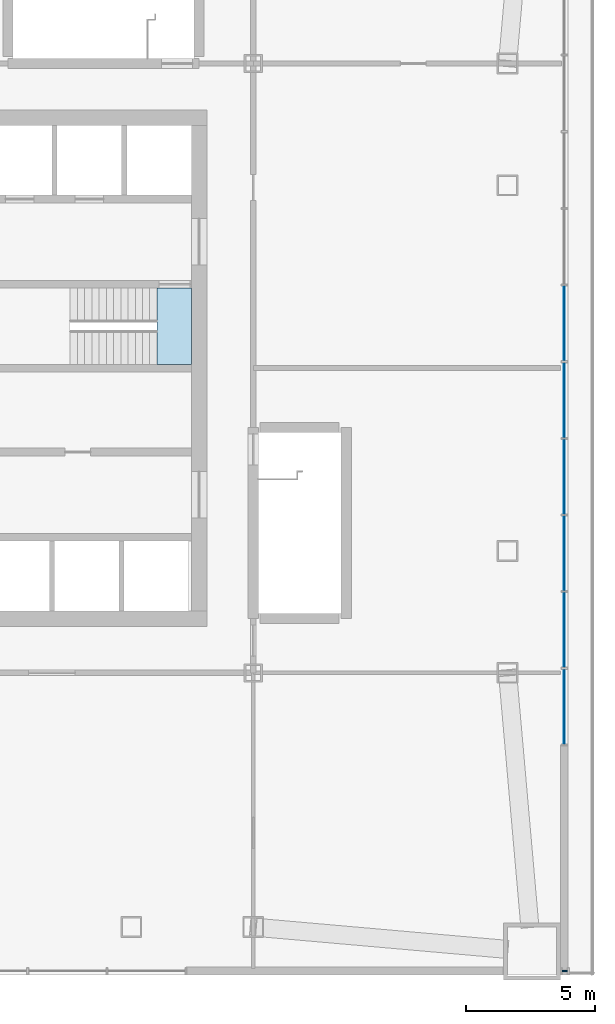
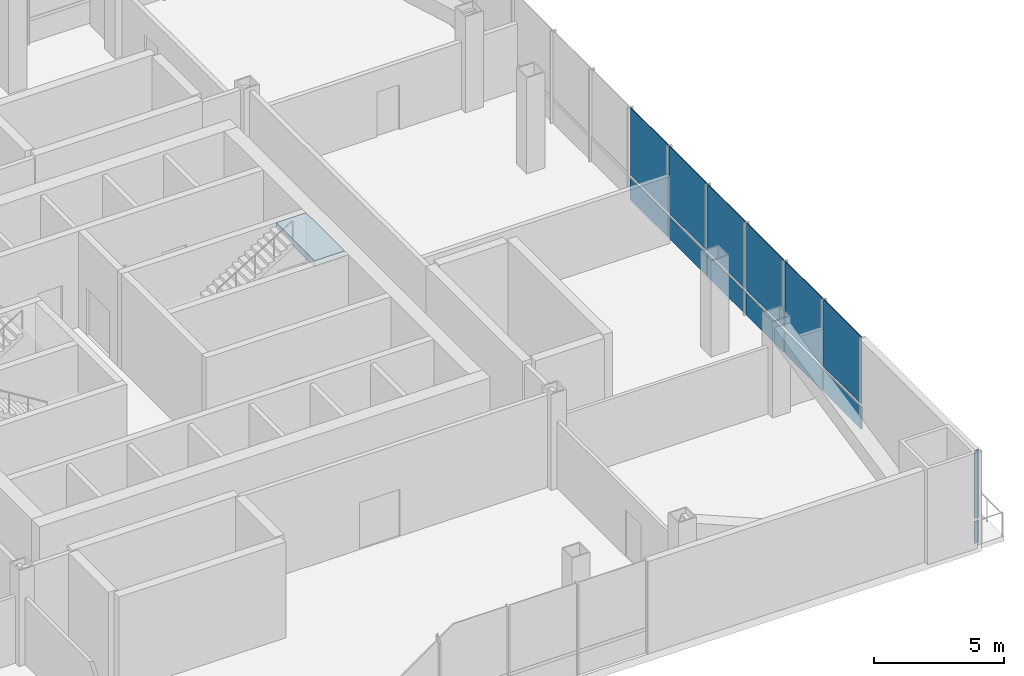
# One storey, part 10 of 15: 14 plates, 1 slab, 3 elements without a shape of their own.
"""IFC4 building model written with IfcOpenShell, lengths in metres."""

import ifcopenshell
import ifcopenshell.guid

model = None  # the IFC model being written
_history = None  # IfcOwnerHistory: only IFC2X3 demands one
_inside = {}  # id of a spatial element -> (the spatial element, [elements in it])
_under = {}  # id of a project, library or spatial element -> (it, [spatial elements below it])
_declared = {}  # id of a project -> (the project, [libraries it declares])
_typed = {}  # id of a type object -> (the type object, [elements of that type])
_made_of = {}  # id of a material, layer set ... -> (it, [elements and type objects made of it])


def new_model(schema):
    """Start an empty IFC model of exactly this schema.

    Asked for "IFC4X3", IfcOpenShell would pick the latest addendum, in which some entities
    have other attributes; the version numbers below select the first issue.
    IFC2X3 requires an IfcOwnerHistory on every rooted entity: one is made here for all.
    """
    global model, _history
    if schema == "IFC4X3":
        model = ifcopenshell.file(schema_version=(4, 3, 0, 0))
    else:
        model = ifcopenshell.file(schema=schema)
    _inside.clear()
    _under.clear()
    _declared.clear()
    _typed.clear()
    _made_of.clear()
    _history = None
    if model.schema == "IFC2X3":
        org = make("IfcOrganization", Name="unknown")
        user = make(
            "IfcPersonAndOrganization",
            ThePerson=make("IfcPerson", FamilyName="unknown"),
            TheOrganization=org,
        )
        app = make(
            "IfcApplication",
            ApplicationDeveloper=org,
            Version="unknown",
            ApplicationFullName="unknown",
            ApplicationIdentifier="unknown",
        )
        _history = make(
            "IfcOwnerHistory",
            OwningUser=user,
            OwningApplication=app,
            ChangeAction="ADDED",
            CreationDate=0,
        )
    return model


def make(cls, **values):
    """One entity of the class cls with the attributes given. An attribute that is None is left unset."""
    return model.create_entity(
        cls, **{name: value for name, value in values.items() if value is not None}
    )


def rooted(cls, **values):
    """An entity with a GlobalId (a new one), such as an element, a storey or a relation."""
    return make(cls, GlobalId=ifcopenshell.guid.new(), OwnerHistory=_history, **values)


def si_unit(unit_type, name, prefix=None):
    """IfcSIUnit, for example si_unit("LENGTHUNIT", "METRE", prefix="MILLI")."""
    return make("IfcSIUnit", UnitType=unit_type, Prefix=prefix, Name=name)


def assignment(units):
    """IfcUnitAssignment: the units of a project."""
    return None if units is None else make("IfcUnitAssignment", Units=units)


def point(xyz):
    """IfcCartesianPoint."""
    return None if xyz is None else make("IfcCartesianPoint", Coordinates=xyz)


def direction(xyz):
    """IfcDirection."""
    return None if xyz is None else make("IfcDirection", DirectionRatios=xyz)


def frame(location, z_axis=None, x_axis=None):
    """IfcAxis2Placement3D, a coordinate frame: its origin and axes. An axis left out is left unset."""
    return make(
        "IfcAxis2Placement3D",
        Location=point(location),
        Axis=direction(z_axis),
        RefDirection=direction(x_axis),
    )


def frame_2d(location, x_axis=None):
    """IfcAxis2Placement2D, a coordinate frame in the plane: its origin and x axis."""
    return make(
        "IfcAxis2Placement2D", Location=point(location), RefDirection=direction(x_axis)
    )


def origin():
    """The frame at (0, 0, 0) with its axes left unset."""
    return frame((0.0, 0.0, 0.0))


def origin_2d():
    """The frame at (0, 0) in the plane with its x axis left unset."""
    return frame_2d((0.0, 0.0))


def place(relative_to, where):
    """IfcLocalPlacement: puts the frame where relative to a parent placement (None: the world)."""
    return make(
        "IfcLocalPlacement", PlacementRelTo=relative_to, RelativePlacement=where
    )


def context(
    kind, dimensions, precision=None, world=None, true_north=None, identifier=None
):
    """IfcGeometricRepresentationContext, for example the 3D "Model" context."""
    return make(
        "IfcGeometricRepresentationContext",
        ContextIdentifier=identifier,
        ContextType=kind,
        CoordinateSpaceDimension=dimensions,
        Precision=precision,
        WorldCoordinateSystem=world,
        TrueNorth=true_north,
    )


def subcontext(parent, identifier, kind, view, scale=None):
    """IfcGeometricRepresentationSubContext, for example "Body" below "Model"."""
    return make(
        "IfcGeometricRepresentationSubContext",
        ContextIdentifier=identifier,
        ContextType=kind,
        ParentContext=parent,
        TargetScale=scale,
        TargetView=view,
    )


def project(units=None, contexts=None):
    """IfcProject with its units and contexts."""
    return rooted(
        "IfcProject",
        Name="project",
        RepresentationContexts=contexts,
        UnitsInContext=assignment(units),
    )


def spatial(cls, under=None, at=None, **own):
    """A site, building, storey or space (cls), placed at a placement, below another one or the project."""
    s = rooted(cls, ObjectPlacement=at, **own)
    if under is not None:
        _under.setdefault(under.id(), (under, []))[1].append(s)
    return s


def polyline(points):
    """IfcPolyline through the points."""
    return make("IfcPolyline", Points=[point(p) for p in points])


def profile(cls, at=None, kind="AREA", **sizes):
    """A parametric profile (cls). Its sizes go by their IFC names, for example OverallWidth=200.0."""
    return make(cls, ProfileType=kind, Position=at, **sizes)


def rectangle(**sizes):
    """IfcRectangleProfileDef."""
    return profile("IfcRectangleProfileDef", **sizes)


def outline(outer, holes=None, kind="AREA"):
    """IfcArbitraryClosedProfileDef: a profile drawn as a closed curve; with holes, ...WithVoids."""
    if holes is None:
        return make("IfcArbitraryClosedProfileDef", ProfileType=kind, OuterCurve=outer)
    return make(
        "IfcArbitraryProfileDefWithVoids",
        ProfileType=kind,
        OuterCurve=outer,
        InnerCurves=holes,
    )


def extrude(swept, where, along, depth):
    """IfcExtrudedAreaSolid: the profile swept, set in the frame where, extruded along a direction by depth."""
    return make(
        "IfcExtrudedAreaSolid",
        SweptArea=swept,
        Position=where,
        ExtrudedDirection=direction(along),
        Depth=depth,
    )


def shape(context_of_items, identifier, shape_type, items):
    """IfcShapeRepresentation: the items that make up one representation, for example the "Body"."""
    return make(
        "IfcShapeRepresentation",
        ContextOfItems=context_of_items,
        RepresentationIdentifier=identifier,
        RepresentationType=shape_type,
        Items=items,
    )


def material(Name=None, Category=None):
    """IfcMaterial."""
    return make("IfcMaterial", Name=Name, Category=Category)


def layer(
    of_material, thickness, ventilated=None, Name=None, Category=None, Priority=None
):
    """IfcMaterialLayer: one layer of a wall or slab, of a material (None: an air gap)."""
    return make(
        "IfcMaterialLayer",
        Material=of_material,
        LayerThickness=thickness,
        IsVentilated=ventilated,
        Name=Name,
        Category=Category,
        Priority=Priority,
    )


def layer_set(layers, Name=None):
    """IfcMaterialLayerSet."""
    return make("IfcMaterialLayerSet", MaterialLayers=layers, LayerSetName=Name)


def made_of(thing, what):
    """Note that an element or type object is made of a material, layer set ...; save() writes the relation."""
    if what is not None:
        _made_of.setdefault(what.id(), (what, []))[1].append(thing)
    return thing


def type_object(cls, material=None, **own):
    """A type object (cls), such as IfcWallType, which elements share."""
    return made_of(rooted(cls, **own), material)


def element(
    cls,
    number,
    at=None,
    inside=None,
    cuts=None,
    type_object=None,
    material=None,
    context=None,
    identifier="Body",
    shape_type=None,
    held_by="IfcProductDefinitionShape",
    body=None,
    shapes=None,
    **own,
):
    """One element of the class cls, such as IfcWall. Its Tag is "e" and its number.

    at: its placement. inside: the storey or other place that contains it. cuts: it is an
    opening in that element (IfcRelVoidsElement). A single representation is given by context,
    identifier, shape_type and body (its items); several are given by shapes. held_by: the class
    of the entity that holds the representations. save() writes the other relations.
    """
    e = rooted(cls, Tag="e%d" % number, ObjectPlacement=at, **own)
    if body is not None:
        shapes = [shape(context, identifier, shape_type, body)]
    if shapes is not None:
        e.Representation = make(held_by, Representations=shapes)
    if inside is not None:
        _inside.setdefault(inside.id(), (inside, []))[1].append(e)
    if cuts is not None:
        rooted(
            "IfcRelVoidsElement", RelatingBuildingElement=cuts, RelatedOpeningElement=e
        )
    if type_object is not None:
        _typed.setdefault(type_object.id(), (type_object, []))[1].append(e)
    return made_of(e, material)


def aggregate(whole, parts):
    """IfcRelAggregates: a whole, such as a stair, and the parts it consists of."""
    return rooted("IfcRelAggregates", RelatingObject=whole, RelatedObjects=parts)


def save(model, path):
    """Write the relations noted so far, then the file.

    IfcRelAggregates (storeys below a building ...), IfcRelContainedInSpatialStructure (elements
    in a storey), IfcRelDefinesByType, IfcRelAssociatesMaterial and IfcRelDeclares: one each for
    every whole, place, type object, material and project.
    """
    for whole, parts in _under.values():
        aggregate(whole, parts)
    for where, things in _inside.values():
        rooted(
            "IfcRelContainedInSpatialStructure",
            RelatedElements=things,
            RelatingStructure=where,
        )
    for kind, things in _typed.values():
        rooted("IfcRelDefinesByType", RelatedObjects=things, RelatingType=kind)
    for what, things in _made_of.values():
        rooted("IfcRelAssociatesMaterial", RelatedObjects=things, RelatingMaterial=what)
    for by, libraries in _declared.values():
        rooted("IfcRelDeclares", RelatingContext=by, RelatedDefinitions=libraries)
    model.write(path)


model = new_model("IFC4")

# Units and contexts
model_context = context("Model", 3, precision=1e-05, world=origin(), true_north=direction((0.0, 1.0)))
body_context = subcontext(model_context, "Body", "Model", "MODEL_VIEW")
ifc_project = project(units=[si_unit("LENGTHUNIT", "METRE"), si_unit("AREAUNIT", "SQUARE_METRE"), si_unit("VOLUMEUNIT", "CUBIC_METRE"), si_unit("PLANEANGLEUNIT", "RADIAN"), si_unit("MASSUNIT", "GRAM", prefix="KILO")], contexts=[model_context])

# Site, building, storey
site_placement = place(None, origin())
site = spatial("IfcSite", under=ifc_project, at=site_placement, CompositionType="ELEMENT")
building_placement = place(site_placement, origin())
building = spatial("IfcBuilding", under=site, at=building_placement, Name="Turquesa Mirador Hotel Tower", CompositionType="ELEMENT")
storey_placement = place(building_placement, frame((0.0, 0.0, 20.5)))
storey = spatial("IfcBuildingStorey", under=building, at=storey_placement, Name="L04", CompositionType="ELEMENT", Elevation=20.5)

# Curtain wall, plate
ifc_material_1 = material(Name="Aluminium extrusion", Category="aluminium")
curtain_wall_type = type_object("IfcCurtainWallType", Name="CW-3 PODIUM UPPER CURTAIN WALL", PredefinedType="USERDEFINED", material=ifc_material_1)
curtain_wall_1_placement = place(storey_placement, origin())
curtain_wall_1 = element("IfcCurtainWall", 1, at=curtain_wall_1_placement, inside=storey, type_object=curtain_wall_type, Name="CW-3 PODIUM UPPER CURTAIN WALL L04", ObjectType="CURTAIN WALL", PredefinedType="USERDEFINED")
ifc_material_2 = material(Name="Ceramic-printed spandrel glass on an insulated back pan", Category="glass")
ifc_layer_1 = layer(ifc_material_2, 0.050048828125)
ifc_layer_set_1 = layer_set([ifc_layer_1], Name="CW PANEL SPANDREL CERAMIC")
plate_type_1 = type_object("IfcPlateType", Name="CW PANEL SPANDREL CERAMIC", PredefinedType="CURTAIN_PANEL", material=ifc_layer_set_1)
plate_1_placement = place(storey_placement, frame((78.8671875, 21.64990234375, 0.0), z_axis=(0.0, 0.0, 1.0), x_axis=(1.0, 0.0, 0.0)))
plate_1 = element("IfcPlate", 2, at=plate_1_placement, type_object=plate_type_1, Name="Panel", PredefinedType="CURTAIN_PANEL", context=body_context, shape_type="SweptSolid", body=[
    extrude(rectangle(XDim=0.200439453125, YDim=0.050048828125, at=origin_2d()), origin(), (0.0, 0.0, 1.0), 1.02490234375),
])

# Curtain wall, plates
curtain_wall_2_placement = place(storey_placement, origin())
curtain_wall_2 = element("IfcCurtainWall", 3, at=curtain_wall_2_placement, inside=storey, type_object=curtain_wall_type, Name="CW-3 PODIUM UPPER CURTAIN WALL L04", ObjectType="CURTAIN WALL", PredefinedType="USERDEFINED")
plate_2_placement = place(storey_placement, frame((78.85009765625, 31.890625, 0.0), z_axis=(0.0, 0.0, 1.0), x_axis=(0.0, 1.0, 0.0)))
plate_2 = element("IfcPlate", 4, at=plate_2_placement, type_object=plate_type_1, Name="Panel", PredefinedType="CURTAIN_PANEL", context=body_context, shape_type="SweptSolid", body=[
    extrude(rectangle(XDim=2.90380859375, YDim=0.050048828125, at=origin_2d()), origin(), (0.0, 0.0, 1.0), 1.02490234375),
])
plate_3_placement = place(storey_placement, frame((78.85009765625, 34.859375, 0.0), z_axis=(0.0, 0.0, 1.0), x_axis=(0.0, 1.0, 0.0)))
plate_3 = element("IfcPlate", 5, at=plate_3_placement, type_object=plate_type_1, Name="Panel", PredefinedType="CURTAIN_PANEL", context=body_context, shape_type="SweptSolid", body=[
    extrude(rectangle(XDim=2.90380859375, YDim=0.050048828125, at=origin_2d()), origin(), (0.0, 0.0, 1.0), 1.02490234375),
])
plate_4_placement = place(storey_placement, frame((78.85009765625, 37.828125, 0.0), z_axis=(0.0, 0.0, 1.0), x_axis=(0.0, 1.0, 0.0)))
plate_4 = element("IfcPlate", 6, at=plate_4_placement, type_object=plate_type_1, Name="Panel", PredefinedType="CURTAIN_PANEL", context=body_context, shape_type="SweptSolid", body=[
    extrude(rectangle(XDim=2.90380859375, YDim=0.050048828125, at=origin_2d()), origin(), (0.0, 0.0, 1.0), 1.02490234375),
])
plate_5_placement = place(storey_placement, frame((78.85009765625, 40.796875, 0.0), z_axis=(0.0, 0.0, 1.0), x_axis=(0.0, 1.0, 0.0)))
plate_5 = element("IfcPlate", 7, at=plate_5_placement, type_object=plate_type_1, Name="Panel", PredefinedType="CURTAIN_PANEL", context=body_context, shape_type="SweptSolid", body=[
    extrude(rectangle(XDim=2.90380859375, YDim=0.050048828125, at=origin_2d()), origin(), (0.0, 0.0, 1.0), 1.02490234375),
])
plate_6_placement = place(storey_placement, frame((78.85009765625, 43.765625, 0.0), z_axis=(0.0, 0.0, 1.0), x_axis=(0.0, 1.0, 0.0)))
plate_6 = element("IfcPlate", 8, at=plate_6_placement, type_object=plate_type_1, Name="Panel", PredefinedType="CURTAIN_PANEL", context=body_context, shape_type="SweptSolid", body=[
    extrude(rectangle(XDim=2.90380859375, YDim=0.050048828125, at=origin_2d()), origin(), (0.0, 0.0, 1.0), 1.02490234375),
])
plate_7_placement = place(storey_placement, frame((78.85009765625, 46.734375, 0.0), z_axis=(0.0, 0.0, 1.0), x_axis=(0.0, 1.0, 0.0)))
plate_7 = element("IfcPlate", 9, at=plate_7_placement, type_object=plate_type_1, Name="Panel", PredefinedType="CURTAIN_PANEL", context=body_context, shape_type="SweptSolid", body=[
    extrude(rectangle(XDim=2.90380859375, YDim=0.050048828125, at=origin_2d()), origin(), (0.0, 0.0, 1.0), 1.02490234375),
])

# Plate
ifc_material_3 = material(Name="Ceramic-fritted laminated glass", Category="glass")
ifc_layer_2 = layer(ifc_material_3, 0.031982421875)
ifc_layer_set_2 = layer_set([ifc_layer_2], Name="CW PANEL VISION FRITTED")
plate_type_2 = type_object("IfcPlateType", Name="CW PANEL VISION FRITTED", PredefinedType="CURTAIN_PANEL", material=ifc_layer_set_2)
plate_8_placement = place(storey_placement, frame((78.8671875, 21.64990234375, 1.1748046875), z_axis=(0.0, 0.0, 1.0), x_axis=(1.0, 0.0, 0.0)))
plate_8 = element("IfcPlate", 10, at=plate_8_placement, type_object=plate_type_2, Name="Panel", PredefinedType="CURTAIN_PANEL", context=body_context, shape_type="SweptSolid", body=[
    extrude(rectangle(XDim=0.200439453125, YDim=0.031982421875, at=origin_2d()), origin(), (0.0, 0.0, 1.0), 3.155029296875),
])

aggregate(curtain_wall_1, [plate_1, plate_8])

plate_9_placement = place(storey_placement, frame((78.85009765625, 31.890625, 1.1748046875), z_axis=(0.0, 0.0, 1.0), x_axis=(0.0, 1.0, 0.0)))
plate_9 = element("IfcPlate", 11, at=plate_9_placement, type_object=plate_type_2, Name="Panel", PredefinedType="CURTAIN_PANEL", context=body_context, shape_type="SweptSolid", body=[
    extrude(rectangle(XDim=2.90380859375, YDim=0.031982421875, at=origin_2d()), origin(), (0.0, 0.0, 1.0), 3.155029296875),
])

plate_10_placement = place(storey_placement, frame((78.85009765625, 34.859375, 1.1748046875), z_axis=(0.0, 0.0, 1.0), x_axis=(0.0, 1.0, 0.0)))
plate_10 = element("IfcPlate", 12, at=plate_10_placement, type_object=plate_type_2, Name="Panel", PredefinedType="CURTAIN_PANEL", context=body_context, shape_type="SweptSolid", body=[
    extrude(rectangle(XDim=2.90380859375, YDim=0.031982421875, at=origin_2d()), origin(), (0.0, 0.0, 1.0), 3.155029296875),
])

plate_11_placement = place(storey_placement, frame((78.85009765625, 37.828125, 1.1748046875), z_axis=(0.0, 0.0, 1.0), x_axis=(0.0, 1.0, 0.0)))
plate_11 = element("IfcPlate", 13, at=plate_11_placement, type_object=plate_type_2, Name="Panel", PredefinedType="CURTAIN_PANEL", context=body_context, shape_type="SweptSolid", body=[
    extrude(rectangle(XDim=2.90380859375, YDim=0.031982421875, at=origin_2d()), origin(), (0.0, 0.0, 1.0), 3.155029296875),
])

plate_12_placement = place(storey_placement, frame((78.85009765625, 40.796875, 1.1748046875), z_axis=(0.0, 0.0, 1.0), x_axis=(0.0, 1.0, 0.0)))
plate_12 = element("IfcPlate", 14, at=plate_12_placement, type_object=plate_type_2, Name="Panel", PredefinedType="CURTAIN_PANEL", context=body_context, shape_type="SweptSolid", body=[
    extrude(rectangle(XDim=2.90380859375, YDim=0.031982421875, at=origin_2d()), origin(), (0.0, 0.0, 1.0), 3.155029296875),
])

plate_13_placement = place(storey_placement, frame((78.85009765625, 43.765625, 1.1748046875), z_axis=(0.0, 0.0, 1.0), x_axis=(0.0, 1.0, 0.0)))
plate_13 = element("IfcPlate", 15, at=plate_13_placement, type_object=plate_type_2, Name="Panel", PredefinedType="CURTAIN_PANEL", context=body_context, shape_type="SweptSolid", body=[
    extrude(rectangle(XDim=2.90380859375, YDim=0.031982421875, at=origin_2d()), origin(), (0.0, 0.0, 1.0), 3.155029296875),
])

plate_14_placement = place(storey_placement, frame((78.85009765625, 46.734375, 1.1748046875), z_axis=(0.0, 0.0, 1.0), x_axis=(0.0, 1.0, 0.0)))
plate_14 = element("IfcPlate", 16, at=plate_14_placement, type_object=plate_type_2, Name="Panel", PredefinedType="CURTAIN_PANEL", context=body_context, shape_type="SweptSolid", body=[
    extrude(rectangle(XDim=2.90380859375, YDim=0.031982421875, at=origin_2d()), origin(), (0.0, 0.0, 1.0), 3.155029296875),
])

aggregate(curtain_wall_2, [plate_2, plate_9, plate_3, plate_10, plate_4, plate_11, plate_5, plate_12, plate_6, plate_13, plate_7, plate_14])

# Stair, slab
ifc_material_4 = material(Name="Concrete C35/45", Category="concrete")
stair_type = type_object("IfcStairType", Name="ESCAPE STAIR CORE", PredefinedType="HALF_TURN_STAIR", material=ifc_material_4)
stair_placement = place(storey_placement, origin())
stair = element("IfcStair", 17, at=stair_placement, inside=storey, type_object=stair_type, Name="Stair ST3 L04 to L05", PredefinedType="HALF_TURN_STAIR")
ifc_material_5 = material(Name="Concrete C35/45", Category="concrete")
ifc_layer_3 = layer(ifc_material_5, 0.300048828125)
ifc_layer_set_3 = layer_set([ifc_layer_3], Name="STAIR LANDING 300")
slab_type = type_object("IfcSlabType", Name="STAIR LANDING 300", PredefinedType="LANDING", material=ifc_layer_set_3)
slab_placement = place(storey_placement, frame((0.0, 0.0, 4.199951171875)))
slab = element("IfcSlab", 18, at=slab_placement, type_object=slab_type, Name="ST3 landing 2", PredefinedType="LANDING", context=body_context, shape_type="SweptSolid", body=[
    extrude(outline(polyline([(63.070068359375, 45.14990234375), (64.39990234375, 45.14990234375), (64.39990234375, 48.10009765625), (63.070068359375, 48.10009765625), (63.070068359375, 45.14990234375)])), origin(), (0.0, 0.0, 1.0), 0.300048828125),
])
aggregate(stair, [slab])

save(model, "model.ifc")
